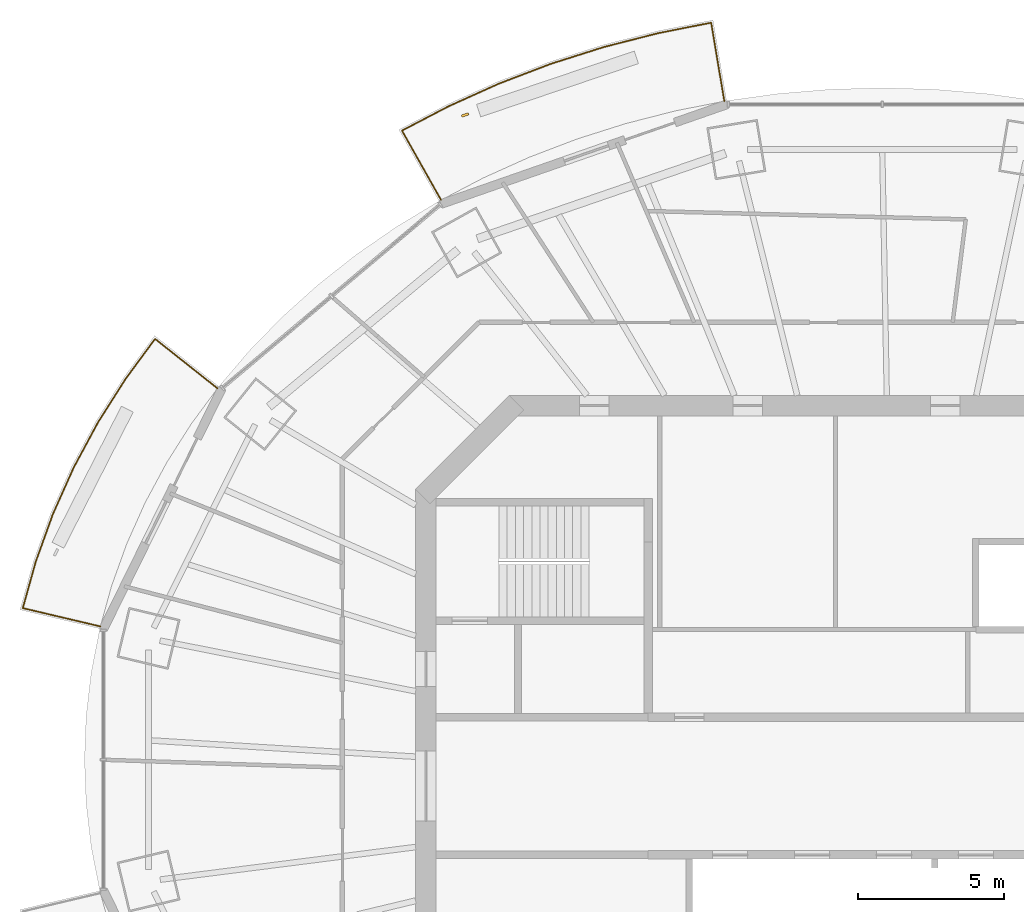
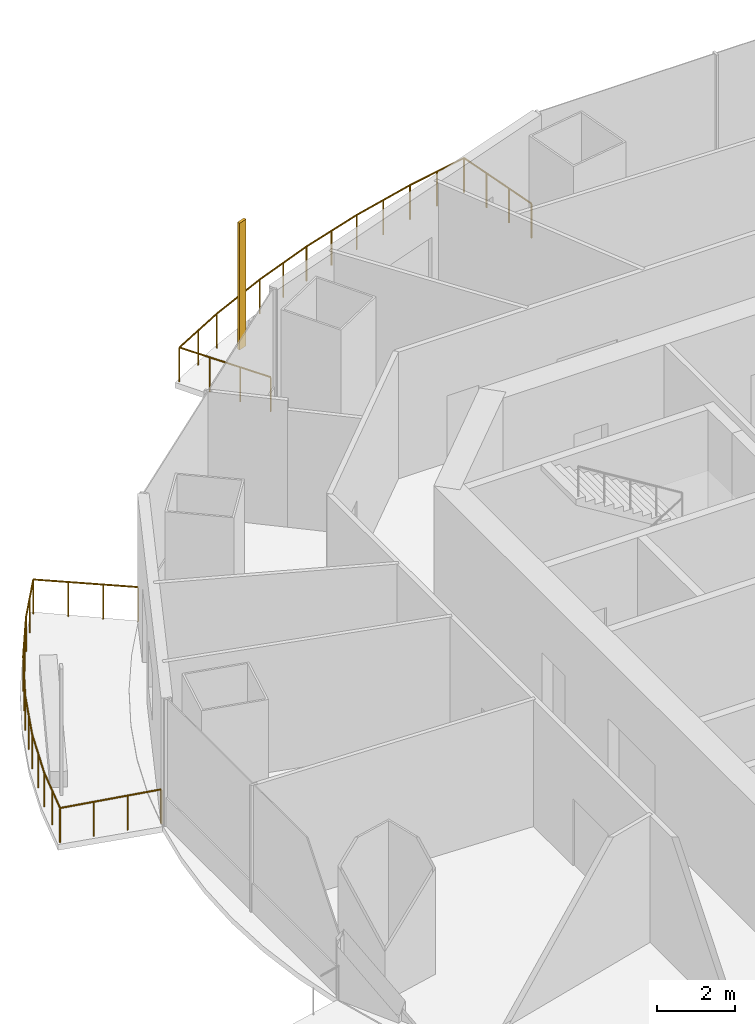
# One storey, part 14 of 16: 2 railings, 1 shading device.
"""IFC4 building model written with IfcOpenShell, lengths in metres."""

from ifc_helpers import new_model, si_unit, direction, frame, origin, origin_2d, place, context, subcontext, project, spatial, rectangle, circle, extrude, material, material_profile, profile_set, type_object, element, save


model = new_model("IFC4")

# Units and contexts
model_context = context("Model", 3, precision=1e-05, world=origin(), true_north=direction((0.0, 1.0)))
body_context = subcontext(model_context, "Body", "Model", "MODEL_VIEW")
ifc_project = project(units=[si_unit("LENGTHUNIT", "METRE"), si_unit("AREAUNIT", "SQUARE_METRE"), si_unit("VOLUMEUNIT", "CUBIC_METRE"), si_unit("PLANEANGLEUNIT", "RADIAN"), si_unit("MASSUNIT", "GRAM", prefix="KILO")], contexts=[model_context])

# Site, building, storey
site_placement = place(None, origin())
site = spatial("IfcSite", under=ifc_project, at=site_placement, CompositionType="ELEMENT")
building_placement = place(site_placement, origin())
building = spatial("IfcBuilding", under=site, at=building_placement, Name="Marenthal Gate Tower", CompositionType="ELEMENT")
storey_placement = place(building_placement, frame((0.0, 0.0, 342.60009765625)))
storey = spatial("IfcBuildingStorey", under=building, at=storey_placement, Name="L77", CompositionType="ELEMENT", Elevation=342.60009765625)

# Railings
ifc_material_1 = material(Name="Stainless steel", Category="steel")
railing_type = type_object("IfcRailingType", Name="Balcony guard 1100", PredefinedType="GUARDRAIL", material=ifc_material_1)
railing_1_placement = place(storey_placement, frame((-15.47998046875, 20.031494140625, 0.0)))
element("IfcRailing", 1, at=railing_1_placement, inside=storey, type_object=railing_type, Name="Balcony guard L77 bay 5", PredefinedType="GUARDRAIL", context=body_context, shape_type="SweptSolid", body=[
    extrude(circle(Radius=0.02392578125, at=origin_2d()), frame((0.0, 0.0, 1.076171875), z_axis=(-0.490740668141, 0.871181358019, -0.014718630134), x_axis=(-0.871275738879, -0.490793833336, 0.0)), (0.0, 0.0, 1.0), 2.72021484375),
    extrude(circle(Radius=0.02392578125, at=origin_2d()), frame((-1.3349609375, 2.369873046875, 1.0361328125), z_axis=(0.886507182027, 0.462714832498, 0.0), x_axis=(-0.462714832498, 0.886507182027, 0.0)), (0.0, 0.0, 1.0), 1.7939453125),
    extrude(circle(Radius=0.02392578125, at=origin_2d()), frame((0.25537109375, 3.199951171875, 1.0361328125), z_axis=(0.911863363512, 0.410493856573, 0.0), x_axis=(-0.410493856573, 0.911863363512, 0.0)), (0.0, 0.0, 1.0), 1.885986328125),
    extrude(circle(Radius=0.02392578125, at=origin_2d()), frame((1.97509765625, 3.97412109375, 1.0361328125), z_axis=(0.934293977025, 0.356503526623, 0.0), x_axis=(-0.356503526623, 0.934293977025, 0.0)), (0.0, 0.0, 1.0), 1.897705078125),
    extrude(circle(Radius=0.02392578125, at=origin_2d()), frame((3.748046875, 4.650634765625, 1.0361328125), z_axis=(0.953251321023, 0.302178620963, 0.0), x_axis=(-0.302178620963, 0.953251321023, 0.0)), (0.0, 0.0, 1.0), 1.907470703125),
    extrude(circle(Radius=0.02392578125, at=origin_2d()), frame((5.56640625, 5.22705078125, 1.0361328125), z_axis=(0.96890861354, 0.24741887278, 0.0), x_axis=(-0.24741887278, 0.96890861354, 0.0)), (0.0, 0.0, 1.0), 1.916259765625),
    extrude(circle(Radius=0.02392578125, at=origin_2d()), frame((7.423095703125, 5.701171875, 1.0361328125), z_axis=(0.981021353845, 0.193899724859, 0.0), x_axis=(-0.193899724859, 0.981021353845, 0.0)), (0.0, 0.0, 1.0), 1.84326171875),
    extrude(circle(Radius=0.02392578125, at=origin_2d()), frame((9.2314453125, 6.05859375, 1.0361328125), z_axis=(0.165312526275, -0.986131399953, 0.014718379104), x_axis=(0.98623823047, 0.165330435068, 0.0)), (0.0, 0.0, 1.0), 2.720458984375),
    extrude(circle(Radius=0.02099609375, at=origin_2d()), origin(), (0.0, 0.0, 1.0), 1.052001953125),
    extrude(circle(Radius=0.02099609375, at=origin_2d()), frame((-0.445068359375, 0.7900390625, -0.013427734375)), (0.0, 0.0, 1.0), 1.052001953125),
    extrude(circle(Radius=0.02099609375, at=origin_2d()), frame((-0.889892578125, 1.579833984375, -0.026611328125)), (0.0, 0.0, 1.0), 1.052001953125),
    extrude(circle(Radius=0.02099609375, at=origin_2d()), frame((-1.3349609375, 2.369873046875, -0.0400390625)), (0.0, 0.0, 1.0), 1.052001953125),
    extrude(circle(Radius=0.02099609375, at=origin_2d()), frame((-0.539794921875, 2.784912109375, -0.0400390625)), (0.0, 0.0, 1.0), 1.052001953125),
    extrude(circle(Radius=0.02099609375, at=origin_2d()), frame((0.25537109375, 3.199951171875, -0.0400390625)), (0.0, 0.0, 1.0), 1.052001953125),
    extrude(circle(Radius=0.02099609375, at=origin_2d()), frame((1.115234375, 3.5869140625, -0.0400390625)), (0.0, 0.0, 1.0), 1.052001953125),
    extrude(circle(Radius=0.02099609375, at=origin_2d()), frame((1.97509765625, 3.97412109375, -0.0400390625)), (0.0, 0.0, 1.0), 1.052001953125),
    extrude(circle(Radius=0.02099609375, at=origin_2d()), frame((2.861572265625, 4.3125, -0.0400390625)), (0.0, 0.0, 1.0), 1.052001953125),
    extrude(circle(Radius=0.02099609375, at=origin_2d()), frame((3.748046875, 4.650634765625, -0.0400390625)), (0.0, 0.0, 1.0), 1.052001953125),
    extrude(circle(Radius=0.02099609375, at=origin_2d()), frame((4.6572265625, 4.93896484375, -0.0400390625)), (0.0, 0.0, 1.0), 1.052001953125),
    extrude(circle(Radius=0.02099609375, at=origin_2d()), frame((5.56640625, 5.22705078125, -0.0400390625)), (0.0, 0.0, 1.0), 1.052001953125),
    extrude(circle(Radius=0.02099609375, at=origin_2d()), frame((6.49462890625, 5.464111328125, -0.0400390625)), (0.0, 0.0, 1.0), 1.052001953125),
    extrude(circle(Radius=0.02099609375, at=origin_2d()), frame((7.423095703125, 5.701171875, -0.0400390625)), (0.0, 0.0, 1.0), 1.052001953125),
    extrude(circle(Radius=0.02099609375, at=origin_2d()), frame((8.3271484375, 5.8798828125, -0.0400390625)), (0.0, 0.0, 1.0), 1.052001953125),
    extrude(circle(Radius=0.02099609375, at=origin_2d()), frame((9.2314453125, 6.05859375, -0.0400390625)), (0.0, 0.0, 1.0), 1.052001953125),
    extrude(circle(Radius=0.02099609375, at=origin_2d()), frame((9.38134765625, 5.164306640625, -0.026611328125)), (0.0, 0.0, 1.0), 1.052001953125),
    extrude(circle(Radius=0.02099609375, at=origin_2d()), frame((9.53125, 4.270263671875, -0.013427734375)), (0.0, 0.0, 1.0), 1.052001953125),
    extrude(circle(Radius=0.02099609375, at=origin_2d()), frame((9.68115234375, 3.3759765625, 0.0)), (0.0, 0.0, 1.0), 1.052001953125),
])
railing_2_placement = place(storey_placement, frame((-27.126708984375, 5.45751953125, 0.0)))
element("IfcRailing", 2, at=railing_2_placement, inside=storey, type_object=railing_type, Name="Balcony guard L77 bay 7", PredefinedType="GUARDRAIL", context=body_context, shape_type="SweptSolid", body=[
    extrude(circle(Radius=0.02392578125, at=origin_2d()), frame((0.0, 0.0, 1.076171875), z_axis=(-0.97315730439, 0.229669790827, -0.014718970573), x_axis=(-0.229694673631, -0.973262737859, 0.0)), (0.0, 0.0, 1.0), 2.72021484375),
    extrude(circle(Radius=0.02392578125, at=origin_2d()), frame((-2.647216796875, 0.624755859375, 1.0361328125), z_axis=(0.268600452735, 0.963251678841, 0.0), x_axis=(-0.963251678841, 0.268600452735, 0.0)), (0.0, 0.0, 1.0), 1.645263671875),
    extrude(circle(Radius=0.02392578125, at=origin_2d()), frame((-2.205322265625, 2.20947265625, 1.0361328125), z_axis=(0.338924060667, 0.940813733478, 0.0), x_axis=(-0.940813733478, 0.338924060667, 0.0)), (0.0, 0.0, 1.0), 1.732421875),
    extrude(circle(Radius=0.02392578125, at=origin_2d()), frame((-1.6181640625, 3.83935546875, 1.0361328125), z_axis=(0.407984820198, 0.912988711041, 0.0), x_axis=(-0.912988711041, 0.407984820198, 0.0)), (0.0, 0.0, 1.0), 1.741455078125),
    extrude(circle(Radius=0.02392578125, at=origin_2d()), frame((-0.90771484375, 5.42919921875, 1.0361328125), z_axis=(0.47377562076, 0.880645593399, 0.0), x_axis=(-0.880645593399, 0.47377562076, 0.0)), (0.0, 0.0, 1.0), 1.75146484375),
    extrude(circle(Radius=0.02392578125, at=origin_2d()), frame((-0.077880859375, 6.9716796875, 1.0361328125), z_axis=(0.535835828865, 0.844322192356, 0.0), x_axis=(-0.844322192356, 0.535835828865, 0.0)), (0.0, 0.0, 1.0), 1.76318359375),
    extrude(circle(Radius=0.02392578125, at=origin_2d()), frame((0.866943359375, 8.46044921875, 1.0361328125), z_axis=(0.592673479354, 0.805442826569, 0.0), x_axis=(-0.805442826569, 0.592673479354, 0.0)), (0.0, 0.0, 1.0), 1.69580078125),
    extrude(circle(Radius=0.02392578125, at=origin_2d()), frame((1.8720703125, 9.826416015625, 1.0361328125), z_axis=(0.783569480419, -0.621129810329, 0.01471829055), x_axis=(0.621197098339, 0.783654365786, 0.0)), (0.0, 0.0, 1.0), 2.720458984375),
    extrude(circle(Radius=0.02099609375, at=origin_2d()), origin(), (0.0, 0.0, 1.0), 1.052001953125),
    extrude(circle(Radius=0.02099609375, at=origin_2d()), frame((-0.88232421875, 0.208251953125, -0.013427734375)), (0.0, 0.0, 1.0), 1.052001953125),
    extrude(circle(Radius=0.02099609375, at=origin_2d()), frame((-1.764892578125, 0.41650390625, -0.026611328125)), (0.0, 0.0, 1.0), 1.052001953125),
    extrude(circle(Radius=0.02099609375, at=origin_2d()), frame((-2.647216796875, 0.624755859375, -0.0400390625)), (0.0, 0.0, 1.0), 1.052001953125),
    extrude(circle(Radius=0.02099609375, at=origin_2d()), frame((-2.42626953125, 1.4169921875, -0.0400390625)), (0.0, 0.0, 1.0), 1.052001953125),
    extrude(circle(Radius=0.02099609375, at=origin_2d()), frame((-2.205322265625, 2.20947265625, -0.0400390625)), (0.0, 0.0, 1.0), 1.052001953125),
    extrude(circle(Radius=0.02099609375, at=origin_2d()), frame((-1.91162109375, 3.0244140625, -0.0400390625)), (0.0, 0.0, 1.0), 1.052001953125),
    extrude(circle(Radius=0.02099609375, at=origin_2d()), frame((-1.6181640625, 3.83935546875, -0.0400390625)), (0.0, 0.0, 1.0), 1.052001953125),
    extrude(circle(Radius=0.02099609375, at=origin_2d()), frame((-1.262939453125, 4.63427734375, -0.0400390625)), (0.0, 0.0, 1.0), 1.052001953125),
    extrude(circle(Radius=0.02099609375, at=origin_2d()), frame((-0.90771484375, 5.42919921875, -0.0400390625)), (0.0, 0.0, 1.0), 1.052001953125),
    extrude(circle(Radius=0.02099609375, at=origin_2d()), frame((-0.49267578125, 6.200439453125, -0.0400390625)), (0.0, 0.0, 1.0), 1.052001953125),
    extrude(circle(Radius=0.02099609375, at=origin_2d()), frame((-0.077880859375, 6.9716796875, -0.0400390625)), (0.0, 0.0, 1.0), 1.052001953125),
    extrude(circle(Radius=0.02099609375, at=origin_2d()), frame((0.39453125, 7.716064453125, -0.0400390625)), (0.0, 0.0, 1.0), 1.052001953125),
    extrude(circle(Radius=0.02099609375, at=origin_2d()), frame((0.866943359375, 8.46044921875, -0.0400390625)), (0.0, 0.0, 1.0), 1.052001953125),
    extrude(circle(Radius=0.02099609375, at=origin_2d()), frame((1.36962890625, 9.1435546875, -0.0400390625)), (0.0, 0.0, 1.0), 1.052001953125),
    extrude(circle(Radius=0.02099609375, at=origin_2d()), frame((1.8720703125, 9.826416015625, -0.0400390625)), (0.0, 0.0, 1.0), 1.052001953125),
    extrude(circle(Radius=0.02099609375, at=origin_2d()), frame((2.58251953125, 9.26318359375, -0.026611328125)), (0.0, 0.0, 1.0), 1.052001953125),
    extrude(circle(Radius=0.02099609375, at=origin_2d()), frame((3.293212890625, 8.699951171875, -0.013427734375)), (0.0, 0.0, 1.0), 1.052001953125),
    extrude(circle(Radius=0.02099609375, at=origin_2d()), frame((4.003662109375, 8.13671875, 0.0)), (0.0, 0.0, 1.0), 1.052001953125),
])

# Shading device
ifc_material_2 = material(Name="Terracotta", Category="masonry")
ifc_material_profile = material_profile(ifc_material_2, rectangle(XDim=0.25, YDim=0.080078125, at=origin_2d()), Name="Terracotta baguette 250x80")
ifc_profile_set = profile_set([ifc_material_profile], Name="Terracotta")
shading_device_type = type_object("IfcShadingDeviceType", Name="Terracotta BAGUETTE SCREEN 250x80", PredefinedType="USERDEFINED", material=ifc_profile_set)
shading_device_placement = place(storey_placement, frame((-14.658935546875, 22.935302734375, -0.0400390625), z_axis=(0.0, 0.0, 1.0), x_axis=(-0.944185799872, -0.329413380602, 0.0)))
element("IfcShadingDevice", 3, at=shading_device_placement, inside=storey, type_object=shading_device_type, Name="Terracotta BAGUETTE L77 bay 5R", ObjectType="BAGUETTE SCREEN", PredefinedType="USERDEFINED", context=body_context, shape_type="SweptSolid", body=[
    extrude(rectangle(XDim=0.25, YDim=0.080078125, at=origin_2d()), origin(), (0.0, 0.0, 1.0), 3.969970703125),
])

save(model, "model.ifc")
